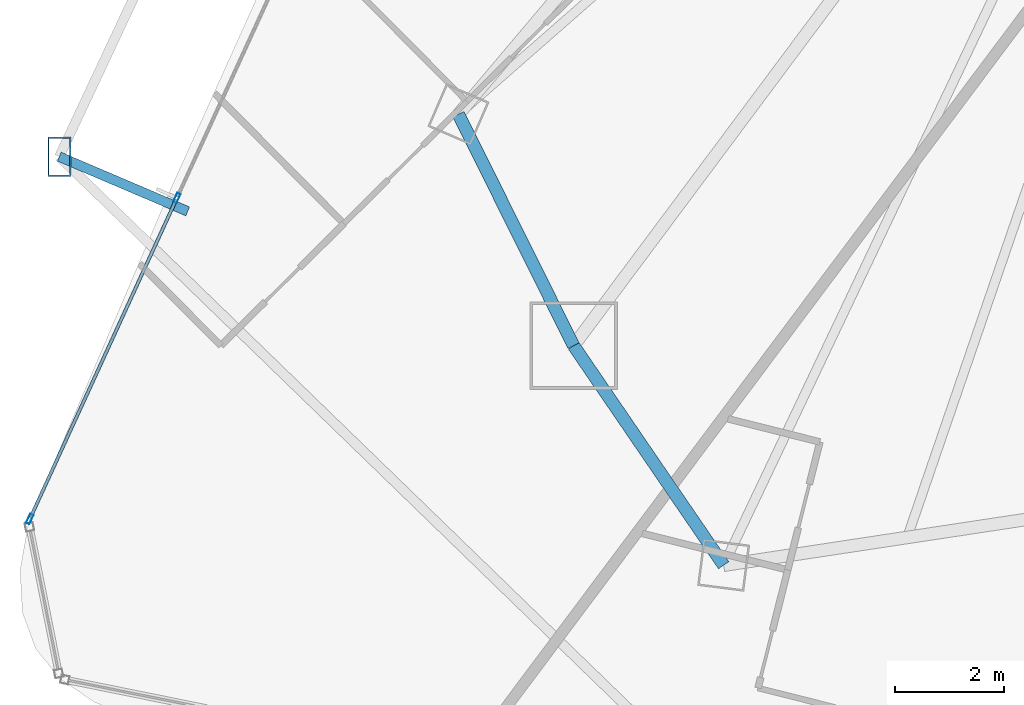
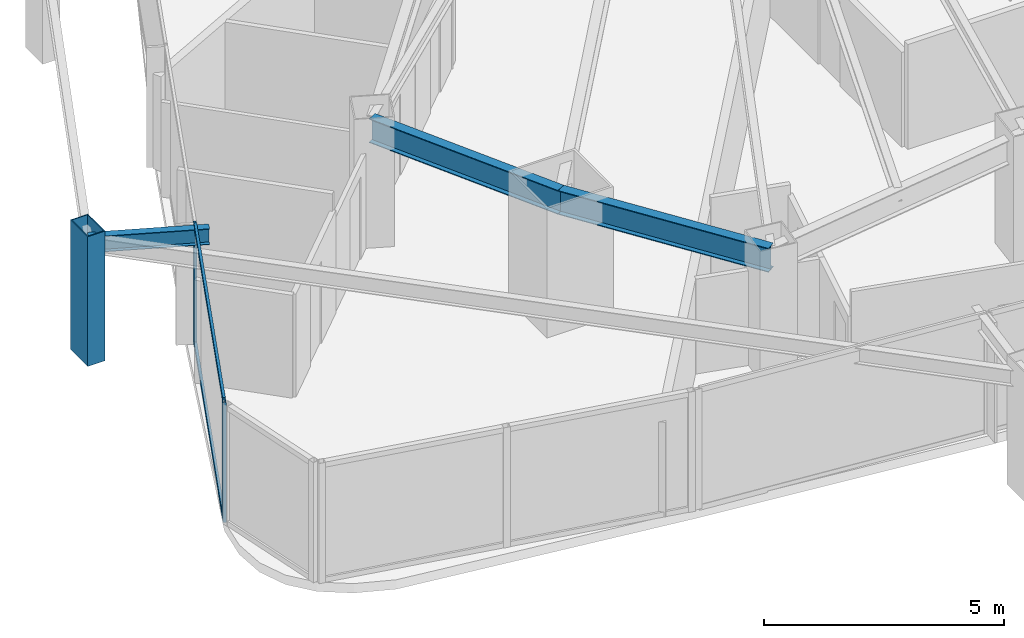
# One storey, part 5 of 35: 5 members, 3 beams, 1 element without a shape of its own.
"""IFC4 building model written with IfcOpenShell, lengths in metres."""

from ifc_helpers import new_model, si_unit, direction, frame, origin, origin_2d, place, context, subcontext, project, spatial, hollow_rectangle, i_section, extrude, material, layer, layer_set, material_profile, profile_set, type_object, element, aggregate, save


model = new_model("IFC4")

# Units and contexts
model_context = context("Model", 3, precision=1e-05, world=origin(), true_north=direction((0.0, 1.0)))
body_context = subcontext(model_context, "Body", "Model", "MODEL_VIEW")
ifc_project = project(units=[si_unit("LENGTHUNIT", "METRE"), si_unit("AREAUNIT", "SQUARE_METRE"), si_unit("VOLUMEUNIT", "CUBIC_METRE"), si_unit("PLANEANGLEUNIT", "RADIAN"), si_unit("MASSUNIT", "GRAM", prefix="KILO")], contexts=[model_context])

# Site, building, storey
site_placement = place(None, origin())
site = spatial("IfcSite", under=ifc_project, at=site_placement, CompositionType="ELEMENT")
building_placement = place(site_placement, origin())
building = spatial("IfcBuilding", under=site, at=building_placement, Name="Orvanel Arch Residences", CompositionType="ELEMENT")
storey_placement = place(building_placement, frame((0.0, 0.0, 33.5)))
storey = spatial("IfcBuildingStorey", under=building, at=storey_placement, Name="L08", CompositionType="ELEMENT", Elevation=33.5)

# Member
ifc_material_1 = material(Name="Structural steel AS/NZS 3678 Grade 350", Category="steel")
ifc_material_profile_1 = material_profile(ifc_material_1, hollow_rectangle(XDim=0.419921875, YDim=0.719970703125, WallThickness=0.02490234375, at=origin_2d()), Name="RHS720x420x25")
ifc_profile_set_1 = profile_set([ifc_material_profile_1], Name="Structural steel AS/NZS 3678 Grade 350")
member_type_1 = type_object("IfcMemberType", Name="CH-720RHS-EXT", PredefinedType="CHORD", material=ifc_profile_set_1)
member_1_placement = place(storey_placement, frame((4.801025390625, 13.804931640625, 0.0), z_axis=(0.0, 0.0, 1.0), x_axis=(1.0, 0.0, 0.0)))
element("IfcMember", 1, at=member_1_placement, inside=storey, type_object=member_type_1, Name="L08 Outer Perimeter Frame Post 04", PredefinedType="CHORD", context=body_context, shape_type="SweptSolid", body=[
    extrude(hollow_rectangle(XDim=0.419921875, YDim=0.719970703125, WallThickness=0.02490234375, at=origin_2d()), origin(), (0.0, 0.0, 1.0), 3.300048828125),
])

# Curtain wall, members
ifc_material_2 = material(Name="Bronze-anodised aluminium AA6063-T6", Category="aluminium")
ifc_layer = layer(ifc_material_2, 0.179931640625)
ifc_layer_set = layer_set([ifc_layer], Name="Bronze-anodised aluminium AA6063-T6")
curtain_wall_type = type_object("IfcCurtainWallType", Name="CW2-LOW-SYS", PredefinedType="NOTDEFINED", material=ifc_layer_set)
curtain_wall_placement = place(storey_placement, origin())
curtain_wall = element("IfcCurtainWall", 2, at=curtain_wall_placement, inside=storey, type_object=curtain_wall_type, Name="L08 CW2-LOW-SYS Unitised Curtain Wall", PredefinedType="NOTDEFINED")
ifc_material_profile_2 = material_profile(ifc_material_2, hollow_rectangle(XDim=0.070068359375, YDim=0.179931640625, WallThickness=0.00439453125, at=origin_2d()), Name="ALU180x70x4.5")
ifc_profile_set_2 = profile_set([ifc_material_profile_2], Name="Bronze-anodised aluminium AA6063-T6")
member_type_2 = type_object("IfcMemberType", Name="MUL-180x70", PredefinedType="MULLION", material=ifc_profile_set_2)
member_2_placement = place(storey_placement, frame((6.94921875, 13.048095703125, 0.0), z_axis=(0.0, 0.0, 1.0), x_axis=(0.909118333197, -0.416537940944, 0.0)))
member_2 = element("IfcMember", 3, at=member_2_placement, type_object=member_type_2, Name="CW-S2 mullion 3", PredefinedType="MULLION", context=body_context, shape_type="SweptSolid", body=[
    extrude(hollow_rectangle(XDim=0.070068359375, YDim=0.179931640625, WallThickness=0.00439453125, at=origin_2d()), origin(), (0.0, 0.0, 1.0), 3.06005859375),
])
member_3_placement = place(storey_placement, frame((4.261474609375, 7.181884765625, 0.0), z_axis=(0.0, 0.0, 1.0), x_axis=(0.909118333197, -0.416537940944, 0.0)))
member_3 = element("IfcMember", 4, at=member_3_placement, type_object=member_type_2, Name="CW-S2 mullion 4", PredefinedType="MULLION", context=body_context, shape_type="SweptSolid", body=[
    extrude(hollow_rectangle(XDim=0.070068359375, YDim=0.179931640625, WallThickness=0.00439453125, at=origin_2d()), origin(), (0.0, 0.0, 1.0), 3.06005859375),
])

# Beams
ifc_material_3 = material(Name="Structural steel AS/NZS 3679.1 Grade 300 (300 MPa)", Category="steel")
ifc_material_profile_3 = material_profile(ifc_material_3, i_section(OverallWidth=0.177978515625, OverallDepth=0.406005859375, WebThickness=0.0078125, FlangeThickness=0.0126953125, at=origin_2d()), Name="410UB59.7")
ifc_profile_set_3 = profile_set([ifc_material_profile_3], Name="Structural steel AS/NZS 3679.1 Grade 300 (300 MPa)")
beam_type_1 = type_object("IfcBeamType", Name="OB-410UB-EXT", PredefinedType="SPANDREL", material=ifc_profile_set_3)
beam_1_placement = place(storey_placement, frame((7.14697265625, 12.804931640625, 2.85693359375), z_axis=(-0.919910810227, 0.39212765935, 0.0), x_axis=(-0.39212765935, -0.919910810227, 0.0)))
element("IfcBeam", 5, at=beam_1_placement, inside=storey, type_object=beam_type_1, Name="L08 Outer Frame Radial Tie Beam 04", PredefinedType="SPANDREL", context=body_context, shape_type="SweptSolid", body=[
    extrude(i_section(OverallWidth=0.177978515625, OverallDepth=0.406005859375, WebThickness=0.0078125, FlangeThickness=0.0126953125, at=origin_2d()), origin(), (0.0, 0.0, 1.0), 2.55029296875),
])
ifc_material_profile_4 = material_profile(ifc_material_3, i_section(OverallWidth=0.22900390625, OverallDepth=0.612060546875, WebThickness=0.011962890625, FlangeThickness=0.01953125, at=origin_2d()), Name="610UB125")
ifc_profile_set_4 = profile_set([ifc_material_profile_4], Name="Structural steel AS/NZS 3679.1 Grade 300 (300 MPa)")
beam_type_2 = type_object("IfcBeamType", Name="SP-610UB", PredefinedType="SPANDREL", material=ifc_profile_set_4)
beam_2_placement = place(storey_placement, frame((12.094970703125, 14.580078125, 2.75390625), z_axis=(0.44543469453, -0.895314432425, 0.0), x_axis=(0.895314432425, 0.44543469453, 0.0)))
element("IfcBeam", 6, at=beam_2_placement, inside=storey, type_object=beam_type_2, Name="L08 Perimeter Spandrel Beam 02", PredefinedType="SPANDREL", context=body_context, shape_type="SweptSolid", body=[
    extrude(i_section(OverallWidth=0.22900390625, OverallDepth=0.612060546875, WebThickness=0.011962890625, FlangeThickness=0.01953125, at=origin_2d()), origin(), (0.0, 0.0, 1.0), 4.723388671875),
])
beam_3_placement = place(storey_placement, frame((14.198974609375, 10.35107421875, 2.75390625), z_axis=(0.564251579852, -0.825602903722, 0.0), x_axis=(0.825602903722, 0.564251579852, 0.0)))
element("IfcBeam", 7, at=beam_3_placement, inside=storey, type_object=beam_type_2, Name="L08 Perimeter Spandrel Beam 03", PredefinedType="SPANDREL", context=body_context, shape_type="SweptSolid", body=[
    extrude(i_section(OverallWidth=0.22900390625, OverallDepth=0.612060546875, WebThickness=0.011962890625, FlangeThickness=0.01953125, at=origin_2d()), origin(), (0.0, 0.0, 1.0), 4.859375),
])

# Member
ifc_material_profile_5 = material_profile(ifc_material_2, hollow_rectangle(XDim=0.06005859375, YDim=0.135009765625, WallThickness=0.00390625, at=origin_2d()), Name="ALU135x60x4")
ifc_profile_set_5 = profile_set([ifc_material_profile_5], Name="Bronze-anodised aluminium AA6063-T6")
member_type_3 = type_object("IfcMemberType", Name="TRN-135x60", PredefinedType="USERDEFINED", material=ifc_profile_set_5)
member_4_placement = place(storey_placement, frame((6.934814453125, 13.01611328125, 0.030029296875), z_axis=(-0.416553290639, -0.909111300149, 0.0), x_axis=(0.909111300149, -0.416553290639, 0.0)))
member_4 = element("IfcMember", 8, at=member_4_placement, type_object=member_type_3, Name="CW-S2 transom 3.1", ObjectType="TRANSOM", PredefinedType="USERDEFINED", context=body_context, shape_type="SweptSolid", body=[
    extrude(hollow_rectangle(XDim=0.06005859375, YDim=0.135009765625, WallThickness=0.00390625, at=origin_2d()), origin(), (0.0, 0.0, 1.0), 6.382568359375),
])

member_5_placement = place(storey_placement, frame((6.934814453125, 13.01611328125, 3.030029296875), z_axis=(-0.416553290639, -0.909111300149, 0.0), x_axis=(0.909111300149, -0.416553290639, 0.0)))
member_5 = element("IfcMember", 9, at=member_5_placement, type_object=member_type_3, Name="CW-S2 transom 3.2", ObjectType="TRANSOM", PredefinedType="USERDEFINED", context=body_context, shape_type="SweptSolid", body=[
    extrude(hollow_rectangle(XDim=0.06005859375, YDim=0.135009765625, WallThickness=0.00390625, at=origin_2d()), origin(), (0.0, 0.0, 1.0), 6.382568359375),
])

aggregate(curtain_wall, [member_2, member_3, member_4, member_5])

save(model, "model.ifc")
